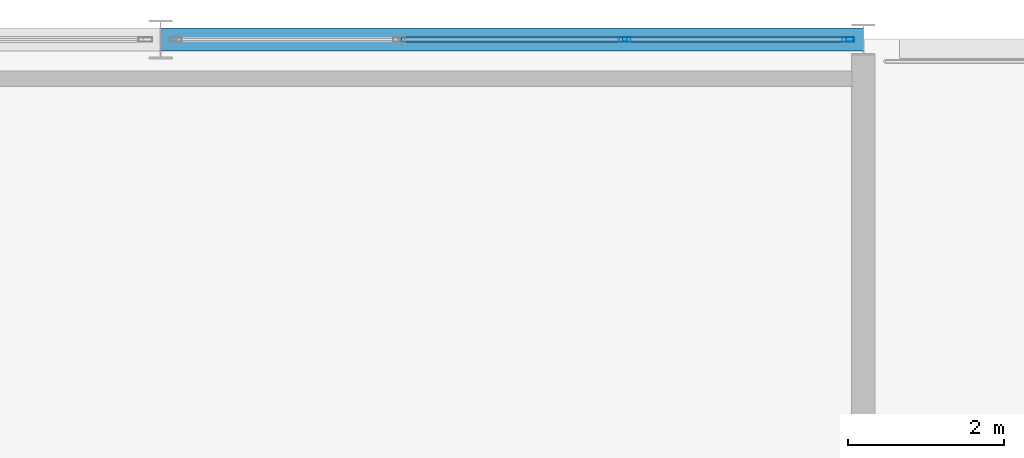
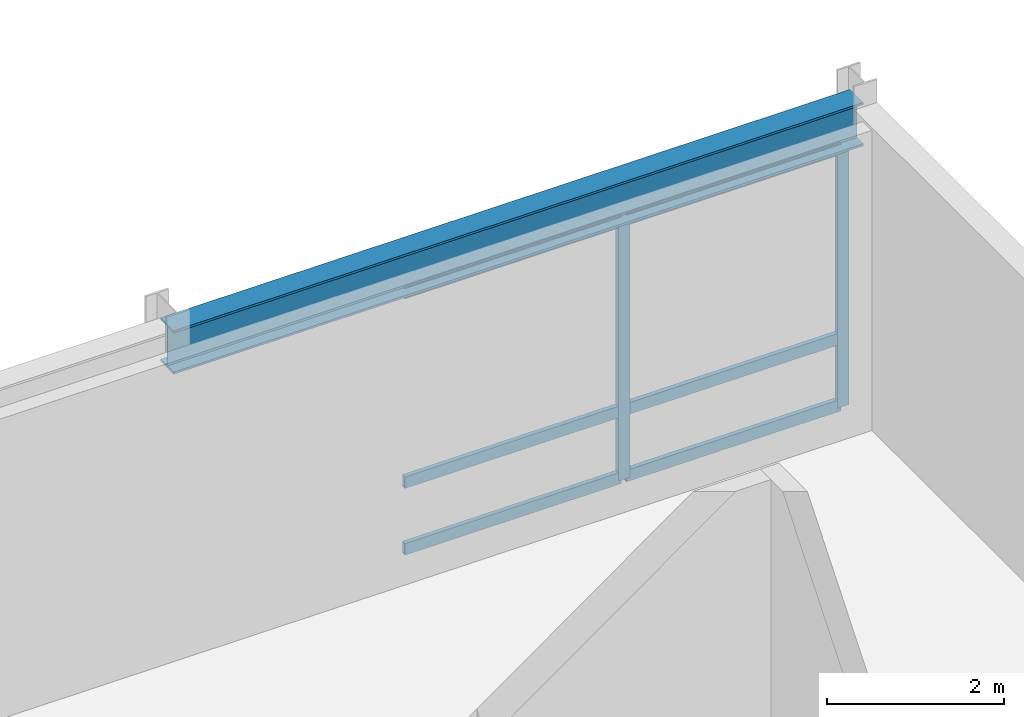
# One storey, part 38 of 67: 8 members, 1 beam, 1 element without a shape of its own.
"""IFC4 building model written with IfcOpenShell, lengths in metres."""

from ifc_helpers import new_model, si_unit, direction, frame, origin, origin_2d, place, context, subcontext, project, spatial, hollow_rectangle, i_section, extrude, material, layer, layer_set, material_profile, profile_set, type_object, element, aggregate, save


model = new_model("IFC4")

# Units and contexts
model_context = context("Model", 3, precision=1e-05, world=origin(), true_north=direction((0.0, 1.0)))
body_context = subcontext(model_context, "Body", "Model", "MODEL_VIEW")
ifc_project = project(units=[si_unit("LENGTHUNIT", "METRE"), si_unit("AREAUNIT", "SQUARE_METRE"), si_unit("VOLUMEUNIT", "CUBIC_METRE"), si_unit("PLANEANGLEUNIT", "RADIAN"), si_unit("MASSUNIT", "GRAM", prefix="KILO")], contexts=[model_context])

# Site, building, storey
site_placement = place(None, origin())
site = spatial("IfcSite", under=ifc_project, at=site_placement, CompositionType="ELEMENT")
building_placement = place(site_placement, origin())
building = spatial("IfcBuilding", under=site, at=building_placement, Name="Montelvaro Courts of Justice", CompositionType="ELEMENT")
storey_placement = place(building_placement, frame((0.0, 0.0, 18.89990234375)))
storey = spatial("IfcBuildingStorey", under=building, at=storey_placement, Name="L04", CompositionType="ELEMENT", Elevation=18.89990234375)

# Beam
ifc_material_1 = material(Name="Steel S355", Category="steel")
ifc_material_profile_1 = material_profile(ifc_material_1, i_section(OverallWidth=0.300048828125, OverallDepth=0.60009765625, WebThickness=0.015380859375, FlangeThickness=0.030029296875, at=origin_2d()), Name="HEB 600")
ifc_profile_set_1 = profile_set([ifc_material_profile_1], Name="Steel S355")
beam_type = type_object("IfcBeamType", Name="Beam_HEB600", PredefinedType="USERDEFINED", material=ifc_profile_set_1)
beam_placement = place(storey_placement, frame((153.0, 96.0, 3.900146484375), z_axis=(1.0, 0.0, 0.0), x_axis=(0.0, 1.0, 0.0)))
element("IfcBeam", 1, at=beam_placement, inside=storey, type_object=beam_type, Name="V2 Roof Eave Girder", ObjectType="GIRDER", PredefinedType="USERDEFINED", context=body_context, shape_type="SweptSolid", body=[
    extrude(i_section(OverallWidth=0.300048828125, OverallDepth=0.60009765625, WebThickness=0.015380859375, FlangeThickness=0.030029296875, at=origin_2d()), origin(), (0.0, 0.0, 1.0), 9.0),
])

# Curtain wall, members
ifc_material_2 = material(Name="Anodised aluminium EN AW-6063", Category="aluminium")
ifc_layer = layer(ifc_material_2, 0.159912109375)
ifc_layer_set = layer_set([ifc_layer], Name="Anodised aluminium EN AW-6063")
curtain_wall_type = type_object("IfcCurtainWallType", Name="CurtainWall_14_867x418", PredefinedType="USERDEFINED", material=ifc_layer_set)
curtain_wall_placement = place(storey_placement, origin())
curtain_wall = element("IfcCurtainWall", 2, at=curtain_wall_placement, inside=storey, type_object=curtain_wall_type, Name="Curtain Wall CW-14 (L04)", ObjectType="CURTAIN WALL", PredefinedType="USERDEFINED")
ifc_material_profile_2 = material_profile(ifc_material_2, hollow_rectangle(XDim=0.06005859375, YDim=0.14990234375, WallThickness=0.00390625, at=origin_2d()), Name="ALU-M 60x150")
ifc_profile_set_2 = profile_set([ifc_material_profile_2], Name="Anodised aluminium EN AW-6063")
member_type_1 = type_object("IfcMemberType", Name="CurtainWall_Mullion_60x150", PredefinedType="MULLION", material=ifc_profile_set_2)
member_1_placement = place(storey_placement, frame((161.804931640625, 96.0, 0.0), z_axis=(0.0, 0.0, 1.0), x_axis=(0.0, -1.0, 0.0)))
member_1 = element("IfcMember", 3, at=member_1_placement, type_object=member_type_1, Name="CW-14 mullion 1", PredefinedType="MULLION", context=body_context, shape_type="SweptSolid", body=[
    extrude(hollow_rectangle(XDim=0.06005859375, YDim=0.14990234375, WallThickness=0.00390625, at=origin_2d()), origin(), (0.0, 0.0, 1.0), 3.59521484375),
])
member_2_placement = place(storey_placement, frame((158.945068359375, 96.0, 0.0), z_axis=(0.0, 0.0, 1.0), x_axis=(0.0, -1.0, 0.0)))
member_2 = element("IfcMember", 4, at=member_2_placement, type_object=member_type_1, Name="CW-14 mullion 2", PredefinedType="MULLION", context=body_context, shape_type="SweptSolid", body=[
    extrude(hollow_rectangle(XDim=0.06005859375, YDim=0.14990234375, WallThickness=0.00390625, at=origin_2d()), origin(), (0.0, 0.0, 1.0), 3.59521484375),
])
ifc_material_profile_3 = material_profile(ifc_material_2, hollow_rectangle(XDim=0.06005859375, YDim=0.159912109375, WallThickness=0.00439453125, at=origin_2d()), Name="ALU-T 60x160")
ifc_profile_set_3 = profile_set([ifc_material_profile_3], Name="Anodised aluminium EN AW-6063")
member_type_2 = type_object("IfcMemberType", Name="CurtainWall_Transom_60x160", PredefinedType="USERDEFINED", material=ifc_profile_set_3)
member_3_placement = place(storey_placement, frame((161.77490234375, 96.0, 0.030029296875), z_axis=(-1.0, 0.0, 0.0), x_axis=(0.0, -1.0, 0.0)))
member_3 = element("IfcMember", 5, at=member_3_placement, type_object=member_type_2, Name="CW-14 transom 1.1", ObjectType="TRANSOM", PredefinedType="USERDEFINED", context=body_context, shape_type="SweptSolid", body=[
    extrude(hollow_rectangle(XDim=0.06005859375, YDim=0.159912109375, WallThickness=0.00439453125, at=origin_2d()), origin(), (0.0, 0.0, 1.0), 2.7998046875),
])
member_4_placement = place(storey_placement, frame((161.77490234375, 96.0, 0.9501953125), z_axis=(-1.0, 0.0, 0.0), x_axis=(0.0, -1.0, 0.0)))
member_4 = element("IfcMember", 6, at=member_4_placement, type_object=member_type_2, Name="CW-14 transom 1.2", ObjectType="TRANSOM", PredefinedType="USERDEFINED", context=body_context, shape_type="SweptSolid", body=[
    extrude(hollow_rectangle(XDim=0.06005859375, YDim=0.159912109375, WallThickness=0.00439453125, at=origin_2d()), origin(), (0.0, 0.0, 1.0), 2.7998046875),
])
member_5_placement = place(storey_placement, frame((161.77490234375, 96.0, 3.565185546875), z_axis=(-1.0, 0.0, 0.0), x_axis=(0.0, -1.0, 0.0)))
member_5 = element("IfcMember", 7, at=member_5_placement, type_object=member_type_2, Name="CW-14 transom 1.3", ObjectType="TRANSOM", PredefinedType="USERDEFINED", context=body_context, shape_type="SweptSolid", body=[
    extrude(hollow_rectangle(XDim=0.06005859375, YDim=0.159912109375, WallThickness=0.00439453125, at=origin_2d()), origin(), (0.0, 0.0, 1.0), 2.7998046875),
])
member_6_placement = place(storey_placement, frame((158.9150390625, 96.0, 0.030029296875), z_axis=(-1.0, 0.0, 0.0), x_axis=(0.0, -1.0, 0.0)))
member_6 = element("IfcMember", 8, at=member_6_placement, type_object=member_type_2, Name="CW-14 transom 2.1", ObjectType="TRANSOM", PredefinedType="USERDEFINED", context=body_context, shape_type="SweptSolid", body=[
    extrude(hollow_rectangle(XDim=0.06005859375, YDim=0.159912109375, WallThickness=0.00439453125, at=origin_2d()), origin(), (0.0, 0.0, 1.0), 2.830078125),
])
member_7_placement = place(storey_placement, frame((158.9150390625, 96.0, 0.9501953125), z_axis=(-1.0, 0.0, 0.0), x_axis=(0.0, -1.0, 0.0)))
member_7 = element("IfcMember", 9, at=member_7_placement, type_object=member_type_2, Name="CW-14 transom 2.2", ObjectType="TRANSOM", PredefinedType="USERDEFINED", context=body_context, shape_type="SweptSolid", body=[
    extrude(hollow_rectangle(XDim=0.06005859375, YDim=0.159912109375, WallThickness=0.00439453125, at=origin_2d()), origin(), (0.0, 0.0, 1.0), 2.830078125),
])
member_8_placement = place(storey_placement, frame((158.9150390625, 96.0, 3.565185546875), z_axis=(-1.0, 0.0, 0.0), x_axis=(0.0, -1.0, 0.0)))
member_8 = element("IfcMember", 10, at=member_8_placement, type_object=member_type_2, Name="CW-14 transom 2.3", ObjectType="TRANSOM", PredefinedType="USERDEFINED", context=body_context, shape_type="SweptSolid", body=[
    extrude(hollow_rectangle(XDim=0.06005859375, YDim=0.159912109375, WallThickness=0.00439453125, at=origin_2d()), origin(), (0.0, 0.0, 1.0), 2.830078125),
])
aggregate(curtain_wall, [member_1, member_2, member_3, member_4, member_5, member_6, member_7, member_8])

save(model, "model.ifc")
